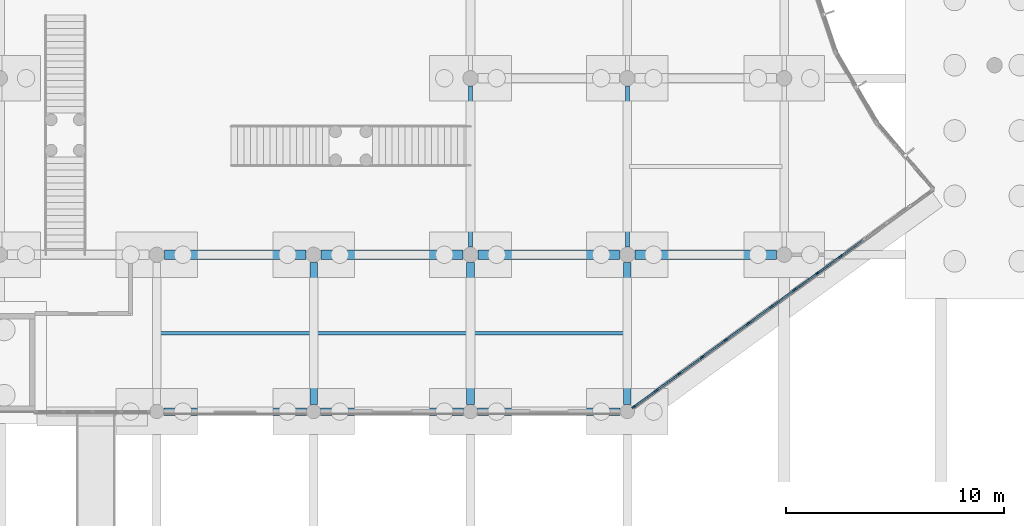
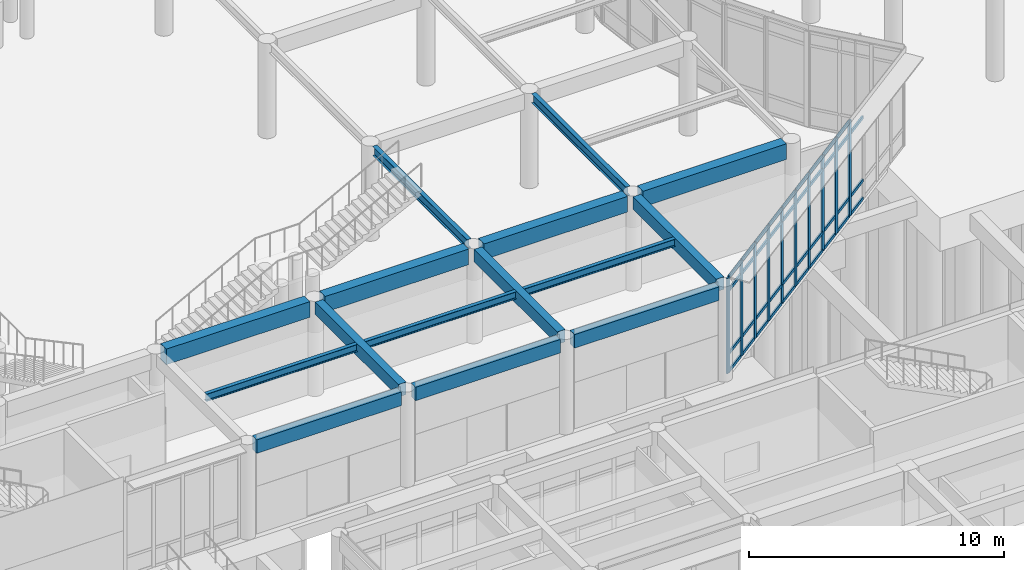
# One storey, part 16 of 103: 49 members, 15 beams, 1 element without a shape of its own.
"""IFC4 building model written with IfcOpenShell, lengths in metres."""

from ifc_helpers import new_model, si_unit, direction, frame, origin, origin_2d, place, context, subcontext, project, spatial, rectangle, i_section, extrude, material, layer, layer_set, material_profile, profile_set, type_object, element, aggregate, save


model = new_model("IFC4")

# Units and contexts
model_context = context("Model", 3, precision=1e-05, world=origin(), true_north=direction((0.0, 1.0)))
body_context = subcontext(model_context, "Body", "Model", "MODEL_VIEW")
ifc_project = project(units=[si_unit("LENGTHUNIT", "METRE"), si_unit("AREAUNIT", "SQUARE_METRE"), si_unit("VOLUMEUNIT", "CUBIC_METRE"), si_unit("PLANEANGLEUNIT", "RADIAN"), si_unit("MASSUNIT", "GRAM", prefix="KILO")], contexts=[model_context])

# Site, building, storey
site_placement = place(None, origin())
site = spatial("IfcSite", under=ifc_project, at=site_placement, CompositionType="ELEMENT")
building_placement = place(site_placement, origin())
building = spatial("IfcBuilding", under=site, at=building_placement, Name="Namkhue Oval Health Centre", CompositionType="ELEMENT")
storey_placement = place(building_placement, origin())
storey = spatial("IfcBuildingStorey", under=building, at=storey_placement, Name="L00", CompositionType="ELEMENT", Elevation=0.0)

# Curtain wall, members
ifc_material_1 = material(Name="Anodised aluminium EN AW-6063 T6", Category="aluminium")
ifc_layer = layer(ifc_material_1, 0.159912109375)
ifc_layer_set = layer_set([ifc_layer], Name="Anodised aluminium EN AW-6063 T6")
curtain_wall_type = type_object("IfcCurtainWallType", Name="UNITISED CURTAIN WALL M1350", PredefinedType="NOTDEFINED", material=ifc_layer_set)
curtain_wall_placement = place(storey_placement, origin())
curtain_wall = element("IfcCurtainWall", 1, at=curtain_wall_placement, inside=storey, type_object=curtain_wall_type, Name="Volume V1 L00 Unitised Curtain Wall 2", PredefinedType="NOTDEFINED")
ifc_material_profile_1 = material_profile(ifc_material_1, rectangle(XDim=0.074951171875, YDim=0.199951171875, at=origin_2d()), Name="ALU 75x200")
ifc_profile_set_1 = profile_set([ifc_material_profile_1], Name="Anodised aluminium EN AW-6063 T6")
member_type_1 = type_object("IfcMemberType", Name="CURTAIN WALL MULLION 75X200", PredefinedType="MULLION", material=ifc_profile_set_1)
member_1_placement = place(storey_placement, frame((57.901123046875, 36.21923828125, 0.0), z_axis=(0.0, 0.0, 1.0), x_axis=(-0.588476942894, 0.808513999682, 0.0)))
member_1 = element("IfcMember", 2, at=member_1_placement, type_object=member_type_1, Name="CW-02 mullion 1", PredefinedType="MULLION", context=body_context, shape_type="SweptSolid", body=[
    extrude(rectangle(XDim=0.074951171875, YDim=0.199951171875, at=origin_2d()), origin(), (0.0, 0.0, 1.0), 4.56494140625),
])
member_2_placement = place(storey_placement, frame((58.92822265625, 36.966796875, 0.0), z_axis=(0.0, 0.0, 1.0), x_axis=(-0.588476942894, 0.808513999682, 0.0)))
member_2 = element("IfcMember", 3, at=member_2_placement, type_object=member_type_1, Name="CW-02 mullion 2", PredefinedType="MULLION", context=body_context, shape_type="SweptSolid", body=[
    extrude(rectangle(XDim=0.074951171875, YDim=0.199951171875, at=origin_2d()), origin(), (0.0, 0.0, 1.0), 4.56494140625),
])
member_3_placement = place(storey_placement, frame((59.98583984375, 37.736572265625, 0.0), z_axis=(0.0, 0.0, 1.0), x_axis=(-0.588476942894, 0.808513999682, 0.0)))
member_3 = element("IfcMember", 4, at=member_3_placement, type_object=member_type_1, Name="CW-02 mullion 3", PredefinedType="MULLION", context=body_context, shape_type="SweptSolid", body=[
    extrude(rectangle(XDim=0.074951171875, YDim=0.199951171875, at=origin_2d()), origin(), (0.0, 0.0, 1.0), 4.56494140625),
])
member_4_placement = place(storey_placement, frame((61.043212890625, 38.506103515625, 0.0), z_axis=(0.0, 0.0, 1.0), x_axis=(-0.588476942894, 0.808513999682, 0.0)))
member_4 = element("IfcMember", 5, at=member_4_placement, type_object=member_type_1, Name="CW-02 mullion 4", PredefinedType="MULLION", context=body_context, shape_type="SweptSolid", body=[
    extrude(rectangle(XDim=0.074951171875, YDim=0.199951171875, at=origin_2d()), origin(), (0.0, 0.0, 1.0), 4.56494140625),
])
member_5_placement = place(storey_placement, frame((62.1005859375, 39.27587890625, 0.0), z_axis=(0.0, 0.0, 1.0), x_axis=(-0.588476942894, 0.808513999682, 0.0)))
member_5 = element("IfcMember", 6, at=member_5_placement, type_object=member_type_1, Name="CW-02 mullion 5", PredefinedType="MULLION", context=body_context, shape_type="SweptSolid", body=[
    extrude(rectangle(XDim=0.074951171875, YDim=0.199951171875, at=origin_2d()), origin(), (0.0, 0.0, 1.0), 4.56494140625),
])
member_6_placement = place(storey_placement, frame((63.158203125, 40.04541015625, 0.0), z_axis=(0.0, 0.0, 1.0), x_axis=(-0.588476942894, 0.808513999682, 0.0)))
member_6 = element("IfcMember", 7, at=member_6_placement, type_object=member_type_1, Name="CW-02 mullion 6", PredefinedType="MULLION", context=body_context, shape_type="SweptSolid", body=[
    extrude(rectangle(XDim=0.074951171875, YDim=0.199951171875, at=origin_2d()), origin(), (0.0, 0.0, 1.0), 4.56494140625),
])
member_7_placement = place(storey_placement, frame((64.215576171875, 40.815185546875, 0.0), z_axis=(0.0, 0.0, 1.0), x_axis=(-0.588476942894, 0.808513999682, 0.0)))
member_7 = element("IfcMember", 8, at=member_7_placement, type_object=member_type_1, Name="CW-02 mullion 7", PredefinedType="MULLION", context=body_context, shape_type="SweptSolid", body=[
    extrude(rectangle(XDim=0.074951171875, YDim=0.199951171875, at=origin_2d()), origin(), (0.0, 0.0, 1.0), 4.56494140625),
])
member_8_placement = place(storey_placement, frame((65.273193359375, 41.5849609375, 0.0), z_axis=(0.0, 0.0, 1.0), x_axis=(-0.588476942894, 0.808513999682, 0.0)))
member_8 = element("IfcMember", 9, at=member_8_placement, type_object=member_type_1, Name="CW-02 mullion 8", PredefinedType="MULLION", context=body_context, shape_type="SweptSolid", body=[
    extrude(rectangle(XDim=0.074951171875, YDim=0.199951171875, at=origin_2d()), origin(), (0.0, 0.0, 1.0), 4.56494140625),
])
member_9_placement = place(storey_placement, frame((66.33056640625, 42.3544921875, 0.0), z_axis=(0.0, 0.0, 1.0), x_axis=(-0.588476942894, 0.808513999682, 0.0)))
member_9 = element("IfcMember", 10, at=member_9_placement, type_object=member_type_1, Name="CW-02 mullion 9", PredefinedType="MULLION", context=body_context, shape_type="SweptSolid", body=[
    extrude(rectangle(XDim=0.074951171875, YDim=0.199951171875, at=origin_2d()), origin(), (0.0, 0.0, 1.0), 4.56494140625),
])
member_10_placement = place(storey_placement, frame((67.38818359375, 43.124267578125, 0.0), z_axis=(0.0, 0.0, 1.0), x_axis=(-0.588476942894, 0.808513999682, 0.0)))
member_10 = element("IfcMember", 11, at=member_10_placement, type_object=member_type_1, Name="CW-02 mullion 10", PredefinedType="MULLION", context=body_context, shape_type="SweptSolid", body=[
    extrude(rectangle(XDim=0.074951171875, YDim=0.199951171875, at=origin_2d()), origin(), (0.0, 0.0, 1.0), 4.56494140625),
])
ifc_material_profile_2 = material_profile(ifc_material_1, rectangle(XDim=0.074951171875, YDim=0.14990234375, at=origin_2d()), Name="ALU 75x150")
ifc_profile_set_2 = profile_set([ifc_material_profile_2], Name="Anodised aluminium EN AW-6063 T6")
member_type_2 = type_object("IfcMemberType", Name="CURTAIN WALL TRANSOM 75X150", PredefinedType="USERDEFINED", material=ifc_profile_set_2)
member_11_placement = place(storey_placement, frame((57.931396484375, 36.2412109375, 0.03759765625), z_axis=(0.808471079977, 0.588535906161, 0.0), x_axis=(-0.588535906161, 0.808471079977, 0.0)))
member_11 = element("IfcMember", 12, at=member_11_placement, type_object=member_type_2, Name="CW-02 transom 1.1", ObjectType="TRANSOM", PredefinedType="USERDEFINED", context=body_context, shape_type="SweptSolid", body=[
    extrude(rectangle(XDim=0.074951171875, YDim=0.14990234375, at=origin_2d()), origin(), (0.0, 0.0, 1.0), 1.195556640625),
])
member_12_placement = place(storey_placement, frame((57.931396484375, 36.2412109375, 0.89990234375), z_axis=(0.808471079977, 0.588535906161, 0.0), x_axis=(-0.588535906161, 0.808471079977, 0.0)))
member_12 = element("IfcMember", 13, at=member_12_placement, type_object=member_type_2, Name="CW-02 transom 1.2", ObjectType="TRANSOM", PredefinedType="USERDEFINED", context=body_context, shape_type="SweptSolid", body=[
    extrude(rectangle(XDim=0.074951171875, YDim=0.14990234375, at=origin_2d()), origin(), (0.0, 0.0, 1.0), 1.195556640625),
])
member_13_placement = place(storey_placement, frame((57.931396484375, 36.2412109375, 3.9150390625), z_axis=(0.808471079977, 0.588535906161, 0.0), x_axis=(-0.588535906161, 0.808471079977, 0.0)))
member_13 = element("IfcMember", 14, at=member_13_placement, type_object=member_type_2, Name="CW-02 transom 1.3", ObjectType="TRANSOM", PredefinedType="USERDEFINED", context=body_context, shape_type="SweptSolid", body=[
    extrude(rectangle(XDim=0.074951171875, YDim=0.14990234375, at=origin_2d()), origin(), (0.0, 0.0, 1.0), 1.195556640625),
])
member_14_placement = place(storey_placement, frame((57.931396484375, 36.2412109375, 4.527587890625), z_axis=(0.808471079977, 0.588535906161, 0.0), x_axis=(-0.588535906161, 0.808471079977, 0.0)))
member_14 = element("IfcMember", 15, at=member_14_placement, type_object=member_type_2, Name="CW-02 transom 1.4", ObjectType="TRANSOM", PredefinedType="USERDEFINED", context=body_context, shape_type="SweptSolid", body=[
    extrude(rectangle(XDim=0.074951171875, YDim=0.14990234375, at=origin_2d()), origin(), (0.0, 0.0, 1.0), 1.195556640625),
])
member_15_placement = place(storey_placement, frame((58.95849609375, 36.98876953125, 0.03759765625), z_axis=(0.808496258108, 0.588501317437, 0.0), x_axis=(-0.588501317437, 0.808496258108, 0.0)))
member_15 = element("IfcMember", 16, at=member_15_placement, type_object=member_type_2, Name="CW-02 transom 2.1", ObjectType="TRANSOM", PredefinedType="USERDEFINED", context=body_context, shape_type="SweptSolid", body=[
    extrude(rectangle(XDim=0.074951171875, YDim=0.14990234375, at=origin_2d()), origin(), (0.0, 0.0, 1.0), 1.23291015625),
])
member_16_placement = place(storey_placement, frame((58.95849609375, 36.98876953125, 0.89990234375), z_axis=(0.808496258108, 0.588501317437, 0.0), x_axis=(-0.588501317437, 0.808496258108, 0.0)))
member_16 = element("IfcMember", 17, at=member_16_placement, type_object=member_type_2, Name="CW-02 transom 2.2", ObjectType="TRANSOM", PredefinedType="USERDEFINED", context=body_context, shape_type="SweptSolid", body=[
    extrude(rectangle(XDim=0.074951171875, YDim=0.14990234375, at=origin_2d()), origin(), (0.0, 0.0, 1.0), 1.23291015625),
])
member_17_placement = place(storey_placement, frame((58.95849609375, 36.98876953125, 3.9150390625), z_axis=(0.808496258108, 0.588501317437, 0.0), x_axis=(-0.588501317437, 0.808496258108, 0.0)))
member_17 = element("IfcMember", 18, at=member_17_placement, type_object=member_type_2, Name="CW-02 transom 2.3", ObjectType="TRANSOM", PredefinedType="USERDEFINED", context=body_context, shape_type="SweptSolid", body=[
    extrude(rectangle(XDim=0.074951171875, YDim=0.14990234375, at=origin_2d()), origin(), (0.0, 0.0, 1.0), 1.23291015625),
])
member_18_placement = place(storey_placement, frame((58.95849609375, 36.98876953125, 4.527587890625), z_axis=(0.808496258108, 0.588501317437, 0.0), x_axis=(-0.588501317437, 0.808496258108, 0.0)))
member_18 = element("IfcMember", 19, at=member_18_placement, type_object=member_type_2, Name="CW-02 transom 2.4", ObjectType="TRANSOM", PredefinedType="USERDEFINED", context=body_context, shape_type="SweptSolid", body=[
    extrude(rectangle(XDim=0.074951171875, YDim=0.14990234375, at=origin_2d()), origin(), (0.0, 0.0, 1.0), 1.23291015625),
])
member_19_placement = place(storey_placement, frame((60.01611328125, 37.758544921875, 0.03759765625), z_axis=(0.808496258108, 0.588501317437, 0.0), x_axis=(-0.588501317437, 0.808496258108, 0.0)))
member_19 = element("IfcMember", 20, at=member_19_placement, type_object=member_type_2, Name="CW-02 transom 3.1", ObjectType="TRANSOM", PredefinedType="USERDEFINED", context=body_context, shape_type="SweptSolid", body=[
    extrude(rectangle(XDim=0.074951171875, YDim=0.14990234375, at=origin_2d()), origin(), (0.0, 0.0, 1.0), 1.23291015625),
])
member_20_placement = place(storey_placement, frame((60.01611328125, 37.758544921875, 0.89990234375), z_axis=(0.808496258108, 0.588501317437, 0.0), x_axis=(-0.588501317437, 0.808496258108, 0.0)))
member_20 = element("IfcMember", 21, at=member_20_placement, type_object=member_type_2, Name="CW-02 transom 3.2", ObjectType="TRANSOM", PredefinedType="USERDEFINED", context=body_context, shape_type="SweptSolid", body=[
    extrude(rectangle(XDim=0.074951171875, YDim=0.14990234375, at=origin_2d()), origin(), (0.0, 0.0, 1.0), 1.23291015625),
])
member_21_placement = place(storey_placement, frame((60.01611328125, 37.758544921875, 3.9150390625), z_axis=(0.808496258108, 0.588501317437, 0.0), x_axis=(-0.588501317437, 0.808496258108, 0.0)))
member_21 = element("IfcMember", 22, at=member_21_placement, type_object=member_type_2, Name="CW-02 transom 3.3", ObjectType="TRANSOM", PredefinedType="USERDEFINED", context=body_context, shape_type="SweptSolid", body=[
    extrude(rectangle(XDim=0.074951171875, YDim=0.14990234375, at=origin_2d()), origin(), (0.0, 0.0, 1.0), 1.23291015625),
])
member_22_placement = place(storey_placement, frame((60.01611328125, 37.758544921875, 4.527587890625), z_axis=(0.808496258108, 0.588501317437, 0.0), x_axis=(-0.588501317437, 0.808496258108, 0.0)))
member_22 = element("IfcMember", 23, at=member_22_placement, type_object=member_type_2, Name="CW-02 transom 3.4", ObjectType="TRANSOM", PredefinedType="USERDEFINED", context=body_context, shape_type="SweptSolid", body=[
    extrude(rectangle(XDim=0.074951171875, YDim=0.14990234375, at=origin_2d()), origin(), (0.0, 0.0, 1.0), 1.23291015625),
])
member_23_placement = place(storey_placement, frame((61.073486328125, 38.5283203125, 0.03759765625), z_axis=(0.808590474599, 0.588371858936, 0.0), x_axis=(-0.588371858936, 0.808590474599, 0.0)))
member_23 = element("IfcMember", 24, at=member_23_placement, type_object=member_type_2, Name="CW-02 transom 4.1", ObjectType="TRANSOM", PredefinedType="USERDEFINED", context=body_context, shape_type="SweptSolid", body=[
    extrude(rectangle(XDim=0.074951171875, YDim=0.14990234375, at=origin_2d()), origin(), (0.0, 0.0, 1.0), 1.23291015625),
])
member_24_placement = place(storey_placement, frame((61.073486328125, 38.5283203125, 0.89990234375), z_axis=(0.808590474599, 0.588371858936, 0.0), x_axis=(-0.588371858936, 0.808590474599, 0.0)))
member_24 = element("IfcMember", 25, at=member_24_placement, type_object=member_type_2, Name="CW-02 transom 4.2", ObjectType="TRANSOM", PredefinedType="USERDEFINED", context=body_context, shape_type="SweptSolid", body=[
    extrude(rectangle(XDim=0.074951171875, YDim=0.14990234375, at=origin_2d()), origin(), (0.0, 0.0, 1.0), 1.23291015625),
])
member_25_placement = place(storey_placement, frame((61.073486328125, 38.5283203125, 3.9150390625), z_axis=(0.808590474599, 0.588371858936, 0.0), x_axis=(-0.588371858936, 0.808590474599, 0.0)))
member_25 = element("IfcMember", 26, at=member_25_placement, type_object=member_type_2, Name="CW-02 transom 4.3", ObjectType="TRANSOM", PredefinedType="USERDEFINED", context=body_context, shape_type="SweptSolid", body=[
    extrude(rectangle(XDim=0.074951171875, YDim=0.14990234375, at=origin_2d()), origin(), (0.0, 0.0, 1.0), 1.23291015625),
])
member_26_placement = place(storey_placement, frame((61.073486328125, 38.5283203125, 4.527587890625), z_axis=(0.808590474599, 0.588371858936, 0.0), x_axis=(-0.588371858936, 0.808590474599, 0.0)))
member_26 = element("IfcMember", 27, at=member_26_placement, type_object=member_type_2, Name="CW-02 transom 4.4", ObjectType="TRANSOM", PredefinedType="USERDEFINED", context=body_context, shape_type="SweptSolid", body=[
    extrude(rectangle(XDim=0.074951171875, YDim=0.14990234375, at=origin_2d()), origin(), (0.0, 0.0, 1.0), 1.23291015625),
])
member_27_placement = place(storey_placement, frame((62.131103515625, 39.2978515625, 0.03759765625), z_axis=(0.808496258108, 0.588501317437, 0.0), x_axis=(-0.588501317437, 0.808496258108, 0.0)))
member_27 = element("IfcMember", 28, at=member_27_placement, type_object=member_type_2, Name="CW-02 transom 5.1", ObjectType="TRANSOM", PredefinedType="USERDEFINED", context=body_context, shape_type="SweptSolid", body=[
    extrude(rectangle(XDim=0.074951171875, YDim=0.14990234375, at=origin_2d()), origin(), (0.0, 0.0, 1.0), 1.23291015625),
])
member_28_placement = place(storey_placement, frame((62.131103515625, 39.2978515625, 0.89990234375), z_axis=(0.808496258108, 0.588501317437, 0.0), x_axis=(-0.588501317437, 0.808496258108, 0.0)))
member_28 = element("IfcMember", 29, at=member_28_placement, type_object=member_type_2, Name="CW-02 transom 5.2", ObjectType="TRANSOM", PredefinedType="USERDEFINED", context=body_context, shape_type="SweptSolid", body=[
    extrude(rectangle(XDim=0.074951171875, YDim=0.14990234375, at=origin_2d()), origin(), (0.0, 0.0, 1.0), 1.23291015625),
])
member_29_placement = place(storey_placement, frame((62.131103515625, 39.2978515625, 3.9150390625), z_axis=(0.808496258108, 0.588501317437, 0.0), x_axis=(-0.588501317437, 0.808496258108, 0.0)))
member_29 = element("IfcMember", 30, at=member_29_placement, type_object=member_type_2, Name="CW-02 transom 5.3", ObjectType="TRANSOM", PredefinedType="USERDEFINED", context=body_context, shape_type="SweptSolid", body=[
    extrude(rectangle(XDim=0.074951171875, YDim=0.14990234375, at=origin_2d()), origin(), (0.0, 0.0, 1.0), 1.23291015625),
])
member_30_placement = place(storey_placement, frame((62.131103515625, 39.2978515625, 4.527587890625), z_axis=(0.808496258108, 0.588501317437, 0.0), x_axis=(-0.588501317437, 0.808496258108, 0.0)))
member_30 = element("IfcMember", 31, at=member_30_placement, type_object=member_type_2, Name="CW-02 transom 5.4", ObjectType="TRANSOM", PredefinedType="USERDEFINED", context=body_context, shape_type="SweptSolid", body=[
    extrude(rectangle(XDim=0.074951171875, YDim=0.14990234375, at=origin_2d()), origin(), (0.0, 0.0, 1.0), 1.23291015625),
])
member_31_placement = place(storey_placement, frame((63.1884765625, 40.067626953125, 0.03759765625), z_axis=(0.808496258108, 0.588501317437, 0.0), x_axis=(-0.588501317437, 0.808496258108, 0.0)))
member_31 = element("IfcMember", 32, at=member_31_placement, type_object=member_type_2, Name="CW-02 transom 6.1", ObjectType="TRANSOM", PredefinedType="USERDEFINED", context=body_context, shape_type="SweptSolid", body=[
    extrude(rectangle(XDim=0.074951171875, YDim=0.14990234375, at=origin_2d()), origin(), (0.0, 0.0, 1.0), 1.23291015625),
])
member_32_placement = place(storey_placement, frame((63.1884765625, 40.067626953125, 0.89990234375), z_axis=(0.808496258108, 0.588501317437, 0.0), x_axis=(-0.588501317437, 0.808496258108, 0.0)))
member_32 = element("IfcMember", 33, at=member_32_placement, type_object=member_type_2, Name="CW-02 transom 6.2", ObjectType="TRANSOM", PredefinedType="USERDEFINED", context=body_context, shape_type="SweptSolid", body=[
    extrude(rectangle(XDim=0.074951171875, YDim=0.14990234375, at=origin_2d()), origin(), (0.0, 0.0, 1.0), 1.23291015625),
])
member_33_placement = place(storey_placement, frame((63.1884765625, 40.067626953125, 3.9150390625), z_axis=(0.808496258108, 0.588501317437, 0.0), x_axis=(-0.588501317437, 0.808496258108, 0.0)))
member_33 = element("IfcMember", 34, at=member_33_placement, type_object=member_type_2, Name="CW-02 transom 6.3", ObjectType="TRANSOM", PredefinedType="USERDEFINED", context=body_context, shape_type="SweptSolid", body=[
    extrude(rectangle(XDim=0.074951171875, YDim=0.14990234375, at=origin_2d()), origin(), (0.0, 0.0, 1.0), 1.23291015625),
])
member_34_placement = place(storey_placement, frame((63.1884765625, 40.067626953125, 4.527587890625), z_axis=(0.808496258108, 0.588501317437, 0.0), x_axis=(-0.588501317437, 0.808496258108, 0.0)))
member_34 = element("IfcMember", 35, at=member_34_placement, type_object=member_type_2, Name="CW-02 transom 6.4", ObjectType="TRANSOM", PredefinedType="USERDEFINED", context=body_context, shape_type="SweptSolid", body=[
    extrude(rectangle(XDim=0.074951171875, YDim=0.14990234375, at=origin_2d()), origin(), (0.0, 0.0, 1.0), 1.23291015625),
])
member_35_placement = place(storey_placement, frame((64.24609375, 40.837158203125, 0.03759765625), z_axis=(0.808496258108, 0.588501317437, 0.0), x_axis=(-0.588501317437, 0.808496258108, 0.0)))
member_35 = element("IfcMember", 36, at=member_35_placement, type_object=member_type_2, Name="CW-02 transom 7.1", ObjectType="TRANSOM", PredefinedType="USERDEFINED", context=body_context, shape_type="SweptSolid", body=[
    extrude(rectangle(XDim=0.074951171875, YDim=0.14990234375, at=origin_2d()), origin(), (0.0, 0.0, 1.0), 1.23291015625),
])
member_36_placement = place(storey_placement, frame((64.24609375, 40.837158203125, 0.89990234375), z_axis=(0.808496258108, 0.588501317437, 0.0), x_axis=(-0.588501317437, 0.808496258108, 0.0)))
member_36 = element("IfcMember", 37, at=member_36_placement, type_object=member_type_2, Name="CW-02 transom 7.2", ObjectType="TRANSOM", PredefinedType="USERDEFINED", context=body_context, shape_type="SweptSolid", body=[
    extrude(rectangle(XDim=0.074951171875, YDim=0.14990234375, at=origin_2d()), origin(), (0.0, 0.0, 1.0), 1.23291015625),
])
member_37_placement = place(storey_placement, frame((64.24609375, 40.837158203125, 3.9150390625), z_axis=(0.808496258108, 0.588501317437, 0.0), x_axis=(-0.588501317437, 0.808496258108, 0.0)))
member_37 = element("IfcMember", 38, at=member_37_placement, type_object=member_type_2, Name="CW-02 transom 7.3", ObjectType="TRANSOM", PredefinedType="USERDEFINED", context=body_context, shape_type="SweptSolid", body=[
    extrude(rectangle(XDim=0.074951171875, YDim=0.14990234375, at=origin_2d()), origin(), (0.0, 0.0, 1.0), 1.23291015625),
])
member_38_placement = place(storey_placement, frame((64.24609375, 40.837158203125, 4.527587890625), z_axis=(0.808496258108, 0.588501317437, 0.0), x_axis=(-0.588501317437, 0.808496258108, 0.0)))
member_38 = element("IfcMember", 39, at=member_38_placement, type_object=member_type_2, Name="CW-02 transom 7.4", ObjectType="TRANSOM", PredefinedType="USERDEFINED", context=body_context, shape_type="SweptSolid", body=[
    extrude(rectangle(XDim=0.074951171875, YDim=0.14990234375, at=origin_2d()), origin(), (0.0, 0.0, 1.0), 1.23291015625),
])
member_39_placement = place(storey_placement, frame((65.303466796875, 41.60693359375, 0.03759765625), z_axis=(0.808496258108, 0.588501317437, 0.0), x_axis=(-0.588501317437, 0.808496258108, 0.0)))
member_39 = element("IfcMember", 40, at=member_39_placement, type_object=member_type_2, Name="CW-02 transom 8.1", ObjectType="TRANSOM", PredefinedType="USERDEFINED", context=body_context, shape_type="SweptSolid", body=[
    extrude(rectangle(XDim=0.074951171875, YDim=0.14990234375, at=origin_2d()), origin(), (0.0, 0.0, 1.0), 1.23291015625),
])
member_40_placement = place(storey_placement, frame((65.303466796875, 41.60693359375, 0.89990234375), z_axis=(0.808496258108, 0.588501317437, 0.0), x_axis=(-0.588501317437, 0.808496258108, 0.0)))
member_40 = element("IfcMember", 41, at=member_40_placement, type_object=member_type_2, Name="CW-02 transom 8.2", ObjectType="TRANSOM", PredefinedType="USERDEFINED", context=body_context, shape_type="SweptSolid", body=[
    extrude(rectangle(XDim=0.074951171875, YDim=0.14990234375, at=origin_2d()), origin(), (0.0, 0.0, 1.0), 1.23291015625),
])
member_41_placement = place(storey_placement, frame((65.303466796875, 41.60693359375, 3.9150390625), z_axis=(0.808496258108, 0.588501317437, 0.0), x_axis=(-0.588501317437, 0.808496258108, 0.0)))
member_41 = element("IfcMember", 42, at=member_41_placement, type_object=member_type_2, Name="CW-02 transom 8.3", ObjectType="TRANSOM", PredefinedType="USERDEFINED", context=body_context, shape_type="SweptSolid", body=[
    extrude(rectangle(XDim=0.074951171875, YDim=0.14990234375, at=origin_2d()), origin(), (0.0, 0.0, 1.0), 1.23291015625),
])
member_42_placement = place(storey_placement, frame((65.303466796875, 41.60693359375, 4.527587890625), z_axis=(0.808496258108, 0.588501317437, 0.0), x_axis=(-0.588501317437, 0.808496258108, 0.0)))
member_42 = element("IfcMember", 43, at=member_42_placement, type_object=member_type_2, Name="CW-02 transom 8.4", ObjectType="TRANSOM", PredefinedType="USERDEFINED", context=body_context, shape_type="SweptSolid", body=[
    extrude(rectangle(XDim=0.074951171875, YDim=0.14990234375, at=origin_2d()), origin(), (0.0, 0.0, 1.0), 1.23291015625),
])
member_43_placement = place(storey_placement, frame((66.36083984375, 42.376708984375, 0.03759765625), z_axis=(0.808496258108, 0.588501317437, 0.0), x_axis=(-0.588501317437, 0.808496258108, 0.0)))
member_43 = element("IfcMember", 44, at=member_43_placement, type_object=member_type_2, Name="CW-02 transom 9.1", ObjectType="TRANSOM", PredefinedType="USERDEFINED", context=body_context, shape_type="SweptSolid", body=[
    extrude(rectangle(XDim=0.074951171875, YDim=0.14990234375, at=origin_2d()), origin(), (0.0, 0.0, 1.0), 1.23291015625),
])
member_44_placement = place(storey_placement, frame((66.36083984375, 42.376708984375, 0.89990234375), z_axis=(0.808496258108, 0.588501317437, 0.0), x_axis=(-0.588501317437, 0.808496258108, 0.0)))
member_44 = element("IfcMember", 45, at=member_44_placement, type_object=member_type_2, Name="CW-02 transom 9.2", ObjectType="TRANSOM", PredefinedType="USERDEFINED", context=body_context, shape_type="SweptSolid", body=[
    extrude(rectangle(XDim=0.074951171875, YDim=0.14990234375, at=origin_2d()), origin(), (0.0, 0.0, 1.0), 1.23291015625),
])
member_45_placement = place(storey_placement, frame((66.36083984375, 42.376708984375, 3.9150390625), z_axis=(0.808496258108, 0.588501317437, 0.0), x_axis=(-0.588501317437, 0.808496258108, 0.0)))
member_45 = element("IfcMember", 46, at=member_45_placement, type_object=member_type_2, Name="CW-02 transom 9.3", ObjectType="TRANSOM", PredefinedType="USERDEFINED", context=body_context, shape_type="SweptSolid", body=[
    extrude(rectangle(XDim=0.074951171875, YDim=0.14990234375, at=origin_2d()), origin(), (0.0, 0.0, 1.0), 1.23291015625),
])
member_46_placement = place(storey_placement, frame((66.36083984375, 42.376708984375, 4.527587890625), z_axis=(0.808496258108, 0.588501317437, 0.0), x_axis=(-0.588501317437, 0.808496258108, 0.0)))
member_46 = element("IfcMember", 47, at=member_46_placement, type_object=member_type_2, Name="CW-02 transom 9.4", ObjectType="TRANSOM", PredefinedType="USERDEFINED", context=body_context, shape_type="SweptSolid", body=[
    extrude(rectangle(XDim=0.074951171875, YDim=0.14990234375, at=origin_2d()), origin(), (0.0, 0.0, 1.0), 1.23291015625),
])
member_47_placement = place(storey_placement, frame((67.41845703125, 43.146240234375, 0.03759765625), z_axis=(0.808496258108, 0.588501317437, 0.0), x_axis=(-0.588501317437, 0.808496258108, 0.0)))
member_47 = element("IfcMember", 48, at=member_47_placement, type_object=member_type_2, Name="CW-02 transom 10.1", ObjectType="TRANSOM", PredefinedType="USERDEFINED", context=body_context, shape_type="SweptSolid", body=[
    extrude(rectangle(XDim=0.074951171875, YDim=0.14990234375, at=origin_2d()), origin(), (0.0, 0.0, 1.0), 1.23291015625),
])
member_48_placement = place(storey_placement, frame((67.41845703125, 43.146240234375, 0.89990234375), z_axis=(0.808496258108, 0.588501317437, 0.0), x_axis=(-0.588501317437, 0.808496258108, 0.0)))
member_48 = element("IfcMember", 49, at=member_48_placement, type_object=member_type_2, Name="CW-02 transom 10.2", ObjectType="TRANSOM", PredefinedType="USERDEFINED", context=body_context, shape_type="SweptSolid", body=[
    extrude(rectangle(XDim=0.074951171875, YDim=0.14990234375, at=origin_2d()), origin(), (0.0, 0.0, 1.0), 1.23291015625),
])
member_49_placement = place(storey_placement, frame((67.41845703125, 43.146240234375, 3.9150390625), z_axis=(0.808496258108, 0.588501317437, 0.0), x_axis=(-0.588501317437, 0.808496258108, 0.0)))
member_49 = element("IfcMember", 50, at=member_49_placement, type_object=member_type_2, Name="CW-02 transom 10.3", ObjectType="TRANSOM", PredefinedType="USERDEFINED", context=body_context, shape_type="SweptSolid", body=[
    extrude(rectangle(XDim=0.074951171875, YDim=0.14990234375, at=origin_2d()), origin(), (0.0, 0.0, 1.0), 1.23291015625),
])
aggregate(curtain_wall, [member_1, member_2, member_3, member_4, member_5, member_6, member_7, member_8, member_9, member_10, member_11, member_12, member_13, member_14, member_15, member_16, member_17, member_18, member_19, member_20, member_21, member_22, member_23, member_24, member_25, member_26, member_27, member_28, member_29, member_30, member_31, member_32, member_33, member_34, member_35, member_36, member_37, member_38, member_39, member_40, member_41, member_42, member_43, member_44, member_45, member_46, member_47, member_48, member_49])

# Beams
ifc_material_2 = material(Name="Reinforced concrete C30/37 (TCVN B35)", Category="concrete")
ifc_material_profile_3 = material_profile(ifc_material_2, rectangle(XDim=0.35009765625, YDim=0.60009765625, at=origin_2d()), Name="RC 350x600")
ifc_profile_set_3 = profile_set([ifc_material_profile_3], Name="Reinforced concrete C30/37 (TCVN B35)")
beam_type_1 = type_object("IfcBeamType", Name="FLOOR BEAM RC 350X600", PredefinedType="BEAM", material=ifc_profile_set_3)
for number, where, z_axis, x_axis, name in (
    (51, (43.199951171875, 36.324951171875, 4.264892578125), (0.0, 1.0, 0.0), (-1.0, 0.0, 0.0), "Volume V1 L01 Beam 7/F-G"),
    (52, (50.39990234375, 36.324951171875, 4.264892578125), (0.0, 1.0, 0.0), (-1.0, 0.0, 0.0), "Volume V1 L01 Beam 8/F-G"),
    (53, (57.60009765625, 36.324951171875, 4.264892578125), (0.0, 1.0, 0.0), (-1.0, 0.0, 0.0), "Volume V1 L01 Beam 9/F-G"),
):
    element("IfcBeam", number, at=place(storey_placement, frame(where, z_axis=z_axis, x_axis=x_axis)), inside=storey, type_object=beam_type_1, Name=name, PredefinedType="BEAM", context=body_context, shape_type="SweptSolid", body=[
        extrude(rectangle(XDim=0.35009765625, YDim=0.60009765625, at=origin_2d()), origin(), (0.0, 0.0, 1.0), 6.525146484375),
    ])
ifc_material_3 = material(Name="Structural steel EN 10025-2 S355JR (TCVN 5575:2024)", Category="steel")
ifc_material_profile_4 = material_profile(ifc_material_3, i_section(OverallWidth=0.18994140625, OverallDepth=0.449951171875, WebThickness=0.009521484375, FlangeThickness=0.0146484375, FilletRadius=0.02099609375, at=origin_2d()), Name="IPE 450")
ifc_profile_set_4 = profile_set([ifc_material_profile_4], Name="Structural steel EN 10025-2 S355JR (TCVN 5575:2024)")
beam_type_2 = type_object("IfcBeamType", Name="FLOOR BEAM STEEL IPE 450", PredefinedType="BEAM", material=ifc_profile_set_4)
for number, where, z_axis, x_axis, name in (
    (54, (50.39990234375, 43.550048828125, 4.340087890625), (0.0, 1.0, 0.0), (-1.0, 0.0, 0.0), "Volume V1 L01 Beam 8/G-H"),
    (55, (57.60009765625, 43.550048828125, 4.340087890625), (0.0, 1.0, 0.0), (-1.0, 0.0, 0.0), "Volume V1 L01 Beam 9/G-H"),
):
    element("IfcBeam", number, at=place(storey_placement, frame(where, z_axis=z_axis, x_axis=x_axis)), inside=storey, type_object=beam_type_2, Name=name, PredefinedType="BEAM", context=body_context, shape_type="SweptSolid", body=[
        extrude(i_section(OverallWidth=0.18994140625, OverallDepth=0.449951171875, WebThickness=0.009521484375, FlangeThickness=0.0146484375, FilletRadius=0.02099609375, at=origin_2d()), origin(), (0.0, 0.0, 1.0), 7.39990234375),
    ])
ifc_material_4 = material(Name="Reinforced concrete C35/45 (TCVN B40)", Category="concrete")
ifc_material_profile_5 = material_profile(ifc_material_4, rectangle(XDim=0.35009765625, YDim=0.64990234375, at=origin_2d()), Name="RC 350x650")
ifc_profile_set_5 = profile_set([ifc_material_profile_5], Name="Reinforced concrete C35/45 (TCVN B40)")
beam_type_3 = type_object("IfcBeamType", Name="PERIMETER SPANDREL BEAM 350X650", PredefinedType="SPANDREL", material=ifc_profile_set_5)
for number, where, z_axis, x_axis, name in (
    (56, (36.324951171875, 36.0, 4.239990234375), (1.0, 0.0, 0.0), (0.0, 1.0, 0.0), "Volume V1 L01 Girder F/6-7"),
    (57, (43.52490234375, 36.0, 4.239990234375), (1.0, 0.0, 0.0), (0.0, 1.0, 0.0), "Volume V1 L01 Girder F/7-8"),
):
    element("IfcBeam", number, at=place(storey_placement, frame(where, z_axis=z_axis, x_axis=x_axis)), inside=storey, type_object=beam_type_3, Name=name, PredefinedType="SPANDREL", context=body_context, shape_type="SweptSolid", body=[
        extrude(rectangle(XDim=0.35009765625, YDim=0.64990234375, at=origin_2d()), origin(), (0.0, 0.0, 1.0), 6.550048828125),
    ])
beam_1_placement = place(storey_placement, frame((50.72509765625, 36.0, 4.239990234375), z_axis=(1.0, 0.0, 0.0), x_axis=(0.0, 1.0, 0.0)))
element("IfcBeam", 58, at=beam_1_placement, inside=storey, type_object=beam_type_3, Name="Volume V1 L01 Girder F/8-9", PredefinedType="SPANDREL", context=body_context, shape_type="SweptSolid", body=[
    extrude(rectangle(XDim=0.35009765625, YDim=0.64990234375, at=origin_2d()), origin(), (0.0, 0.0, 1.0), 6.5498046875),
])
ifc_material_profile_6 = material_profile(ifc_material_4, rectangle(XDim=0.449951171875, YDim=0.75, at=origin_2d()), Name="RC 450x750")
ifc_profile_set_6 = profile_set([ifc_material_profile_6], Name="Reinforced concrete C35/45 (TCVN B40)")
beam_type_4 = type_object("IfcBeamType", Name="PRIMARY GIRDER RC 450X750", PredefinedType="USERDEFINED", material=ifc_profile_set_6)
for number, where, z_axis, x_axis, name in (
    (59, (36.35009765625, 43.199951171875, 4.18994140625), (1.0, 0.0, 0.0), (0.0, 1.0, 0.0), "Volume V1 L01 Girder G/6-7"),
    (60, (43.550048828125, 43.199951171875, 4.18994140625), (1.0, 0.0, 0.0), (0.0, 1.0, 0.0), "Volume V1 L01 Girder G/7-8"),
    (61, (50.75, 43.199951171875, 4.18994140625), (1.0, 0.0, 0.0), (0.0, 1.0, 0.0), "Volume V1 L01 Girder G/8-9"),
    (62, (57.949951171875, 43.199951171875, 4.18994140625), (1.0, 0.0, 0.0), (0.0, 1.0, 0.0), "Volume V1 L01 Girder G/9-10"),
):
    element("IfcBeam", number, at=place(storey_placement, frame(where, z_axis=z_axis, x_axis=x_axis)), inside=storey, type_object=beam_type_4, Name=name, ObjectType="GIRDER", PredefinedType="USERDEFINED", context=body_context, shape_type="SweptSolid", body=[
        extrude(rectangle(XDim=0.449951171875, YDim=0.75, at=origin_2d()), origin(), (0.0, 0.0, 1.0), 6.5),
    ])
ifc_material_profile_7 = material_profile(ifc_material_3, i_section(OverallWidth=0.169921875, OverallDepth=0.360107421875, WebThickness=0.008056640625, FlangeThickness=0.0126953125, FilletRadius=0.01806640625, at=origin_2d()), Name="IPE 360")
ifc_profile_set_7 = profile_set([ifc_material_profile_7], Name="Structural steel EN 10025-2 S355JR (TCVN 5575:2024)")
beam_type_5 = type_object("IfcBeamType", Name="SECONDARY JOIST STEEL IPE 360", PredefinedType="JOIST", material=ifc_profile_set_7)
beam_2_placement = place(storey_placement, frame((36.175048828125, 39.60009765625, 4.385009765625), z_axis=(1.0, 0.0, 0.0), x_axis=(0.0, 1.0, 0.0)))
element("IfcBeam", 63, at=beam_2_placement, inside=storey, type_object=beam_type_5, Name="Volume V1 L01 Secondary Joist 6-7", PredefinedType="JOIST", context=body_context, shape_type="SweptSolid", body=[
    extrude(i_section(OverallWidth=0.169921875, OverallDepth=0.360107421875, WebThickness=0.008056640625, FlangeThickness=0.0126953125, FilletRadius=0.01806640625, at=origin_2d()), origin(), (0.0, 0.0, 1.0), 6.849853515625),
])
for number, where, z_axis, x_axis, name in (
    (64, (43.375, 39.60009765625, 4.385009765625), (1.0, 0.0, 0.0), (0.0, 1.0, 0.0), "Volume V1 L01 Secondary Joist 7-8"),
    (65, (50.574951171875, 39.60009765625, 4.385009765625), (1.0, 0.0, 0.0), (0.0, 1.0, 0.0), "Volume V1 L01 Secondary Joist 8-9"),
):
    element("IfcBeam", number, at=place(storey_placement, frame(where, z_axis=z_axis, x_axis=x_axis)), inside=storey, type_object=beam_type_5, Name=name, PredefinedType="JOIST", context=body_context, shape_type="SweptSolid", body=[
        extrude(i_section(OverallWidth=0.169921875, OverallDepth=0.360107421875, WebThickness=0.008056640625, FlangeThickness=0.0126953125, FilletRadius=0.01806640625, at=origin_2d()), origin(), (0.0, 0.0, 1.0), 6.85009765625),
    ])

save(model, "model.ifc")
